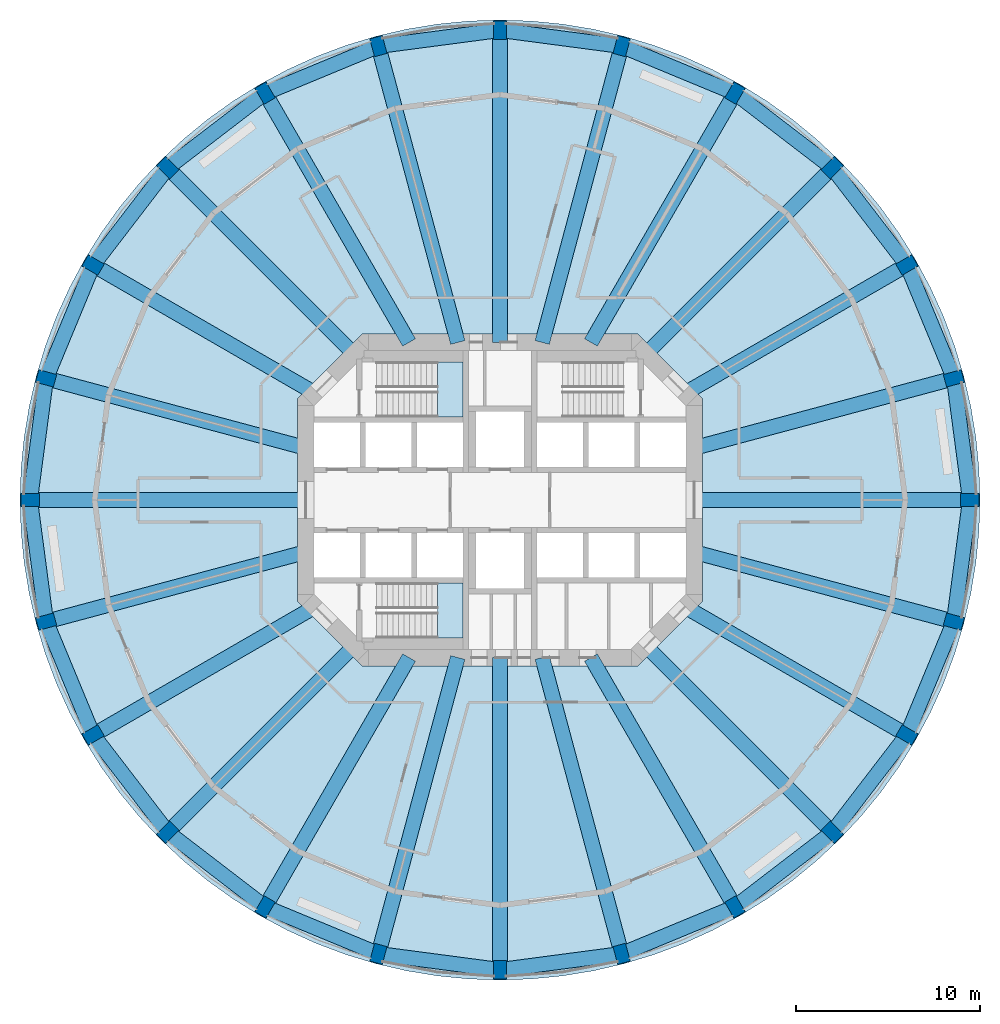
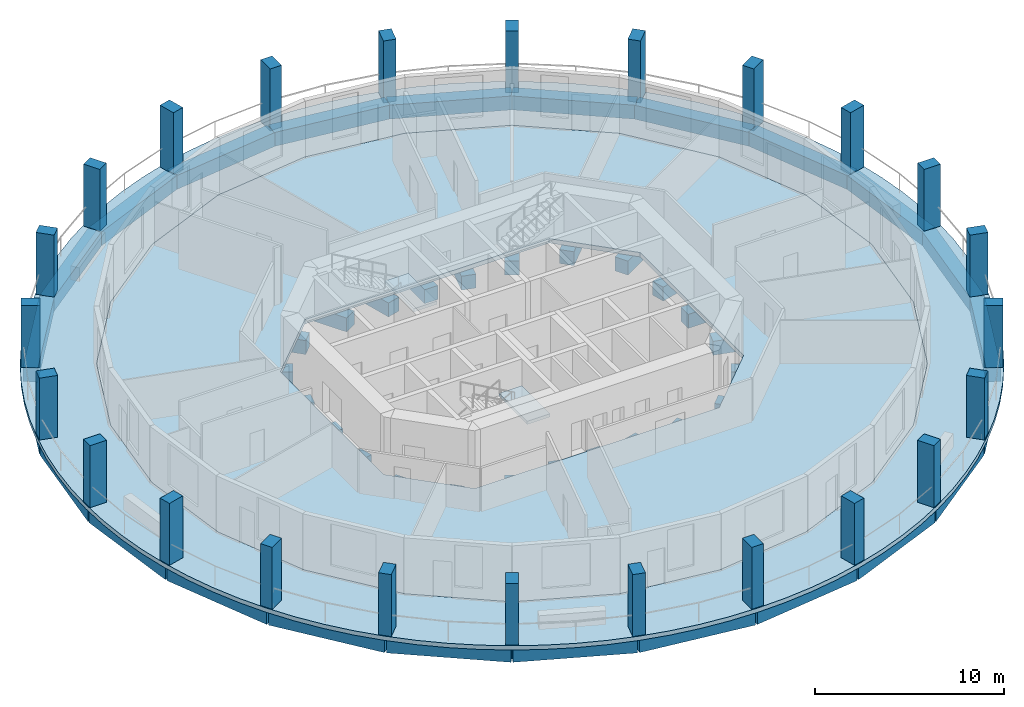
# One storey, part 1 of 9: 48 beams, 24 columns, 4 slabs, 2 elements without a shape of their own.
"""IFC4 building model written with IfcOpenShell, lengths in metres."""

from ifc_helpers import new_model, si_unit, direction, frame, origin, origin_2d, place, context, subcontext, project, spatial, polyline, rectangle, outline, extrude, material, layer, layer_set, material_profile, profile_set, type_object, element, aggregate, save


model = new_model("IFC4")

# Units and contexts
model_context = context("Model", 3, precision=1e-05, world=origin(), true_north=direction((0.0, 1.0)))
body_context = subcontext(model_context, "Body", "Model", "MODEL_VIEW")
ifc_project = project(units=[si_unit("LENGTHUNIT", "METRE"), si_unit("AREAUNIT", "SQUARE_METRE"), si_unit("VOLUMEUNIT", "CUBIC_METRE"), si_unit("PLANEANGLEUNIT", "RADIAN"), si_unit("MASSUNIT", "GRAM", prefix="KILO")], contexts=[model_context])

# Site, building, storey
site_placement = place(None, origin())
site = spatial("IfcSite", under=ifc_project, at=site_placement, CompositionType="ELEMENT")
building_placement = place(site_placement, origin())
building = spatial("IfcBuilding", under=site, at=building_placement, Name="Torre Triforio", CompositionType="ELEMENT")
storey_placement = place(building_placement, frame((0.0, 0.0, 98.60009765625)))
storey = spatial("IfcBuildingStorey", under=building, at=storey_placement, Name="L21", CompositionType="ELEMENT", Elevation=98.60009765625)

# Columns
ifc_material_1 = material(Name="Concrete C60", Category="concrete")
ifc_material_profile_1 = material_profile(ifc_material_1, rectangle(XDim=0.699951171875, YDim=1.0, at=origin_2d()), Name="RC 700x1000")
ifc_profile_set_1 = profile_set([ifc_material_profile_1], Name="Concrete C60")
column_type = type_object("IfcColumnType", Name="Pier RC 700x1000 C60", PredefinedType="COLUMN", material=ifc_profile_set_1)
for number, where, z_axis, x_axis, name in (
    (1, (25.5, 0.0, 0.0), (0.0, 0.0, 1.0), (0.0, 1.0, 0.0), "COL.R.L21.00"),
    (2, (24.631103515625, 6.599853515625, 0.0), (0.0, 0.0, 1.0), (-0.258819045103, 0.965925826289, 0.0), "COL.R.L21.01"),
    (3, (22.083740234375, 12.75, 0.0), (0.0, 0.0, 1.0), (-0.5, 0.866025403784, 0.0), "COL.R.L21.02"),
    (4, (18.03125, 18.03125, 0.0), (0.0, 0.0, 1.0), (-0.707106781187, 0.707106781187, 0.0), "COL.R.L21.03"),
    (5, (12.75, 22.083740234375, 0.0), (0.0, 0.0, 1.0), (-0.866025403784, 0.5, 0.0), "COL.R.L21.04"),
    (6, (6.599853515625, 24.631103515625, 0.0), (0.0, 0.0, 1.0), (-0.965925826289, 0.258819045103, 0.0), "COL.R.L21.05"),
    (7, (0.0, 25.5, 0.0), (0.0, 0.0, 1.0), (-1.0, 0.0, 0.0), "COL.R.L21.06"),
    (8, (-6.599853515625, 24.631103515625, 0.0), (0.0, 0.0, 1.0), (-0.965925826289, -0.258819045103, 0.0), "COL.R.L21.07"),
    (9, (-12.75, 22.083740234375, 0.0), (0.0, 0.0, 1.0), (-0.866025403784, -0.5, 0.0), "COL.R.L21.08"),
    (10, (-18.03125, 18.03125, 0.0), (0.0, 0.0, 1.0), (-0.707106781187, -0.707106781187, 0.0), "COL.R.L21.09"),
    (11, (-22.083740234375, 12.75, 0.0), (0.0, 0.0, 1.0), (-0.5, -0.866025403784, 0.0), "COL.R.L21.10"),
    (12, (-24.631103515625, 6.599853515625, 0.0), (0.0, 0.0, 1.0), (-0.258819045103, -0.965925826289, 0.0), "COL.R.L21.11"),
    (13, (-25.5, 0.0, 0.0), (0.0, 0.0, 1.0), (0.0, -1.0, 0.0), "COL.R.L21.12"),
    (14, (-24.631103515625, -6.599853515625, 0.0), (0.0, 0.0, 1.0), (0.258819045103, -0.965925826289, 0.0), "COL.R.L21.13"),
    (15, (-22.083740234375, -12.75, 0.0), (0.0, 0.0, 1.0), (0.5, -0.866025403784, 0.0), "COL.R.L21.14"),
    (16, (-18.03125, -18.03125, 0.0), (0.0, 0.0, 1.0), (0.707106781187, -0.707106781187, 0.0), "COL.R.L21.15"),
    (17, (-12.75, -22.083740234375, 0.0), (0.0, 0.0, 1.0), (0.866025403784, -0.5, 0.0), "COL.R.L21.16"),
    (18, (-6.599853515625, -24.631103515625, 0.0), (0.0, 0.0, 1.0), (0.965925826289, -0.258819045103, 0.0), "COL.R.L21.17"),
    (19, (0.0, -25.5, 0.0), (0.0, 0.0, 1.0), (1.0, 0.0, 0.0), "COL.R.L21.18"),
    (20, (6.599853515625, -24.631103515625, 0.0), (0.0, 0.0, 1.0), (0.965925826289, 0.258819045103, 0.0), "COL.R.L21.19"),
    (21, (12.75, -22.083740234375, 0.0), (0.0, 0.0, 1.0), (0.866025403784, 0.5, 0.0), "COL.R.L21.20"),
    (22, (18.03125, -18.03125, 0.0), (0.0, 0.0, 1.0), (0.707106781187, 0.707106781187, 0.0), "COL.R.L21.21"),
    (23, (22.083740234375, -12.75, 0.0), (0.0, 0.0, 1.0), (0.5, 0.866025403784, 0.0), "COL.R.L21.22"),
    (24, (24.631103515625, -6.599853515625, 0.0), (0.0, 0.0, 1.0), (0.258819045103, 0.965925826289, 0.0), "COL.R.L21.23"),
):
    element("IfcColumn", number, at=place(storey_placement, frame(where, z_axis=z_axis, x_axis=x_axis)), inside=storey, type_object=column_type, Name=name, PredefinedType="COLUMN", context=body_context, shape_type="SweptSolid", body=[
        extrude(rectangle(XDim=0.699951171875, YDim=1.0, at=origin_2d()), origin(), (0.0, 0.0, 1.0), 4.0),
    ])

# Beams
ifc_material_2 = material(Name="Concrete C50", Category="concrete")
ifc_material_profile_2 = material_profile(ifc_material_2, rectangle(XDim=0.800048828125, YDim=0.89990234375, at=origin_2d()), Name="RC 800x900")
ifc_profile_set_2 = profile_set([ifc_material_profile_2], Name="Concrete C50")
beam_type_1 = type_object("IfcBeamType", Name="Radial beam RC 800x900 C50", PredefinedType="BEAM", material=ifc_profile_set_2)
beam_1_placement = place(storey_placement, frame((10.550048828125, 0.0, -0.72998046875), z_axis=(1.0, 0.0, 0.0), x_axis=(0.0, 1.0, 0.0)))
element("IfcBeam", 25, at=beam_1_placement, inside=storey, type_object=beam_type_1, Name="BM.R.L21.00", PredefinedType="BEAM", context=body_context, shape_type="SweptSolid", body=[
    extrude(rectangle(XDim=0.800048828125, YDim=0.89990234375, at=origin_2d()), origin(), (0.0, 0.0, 1.0), 14.949951171875),
])
beam_2_placement = place(storey_placement, frame((10.550048828125, 2.826904296875, -0.72998046875), z_axis=(0.965926821176, 0.258815332104, 0.0), x_axis=(-0.258815332104, 0.965926821176, 0.0)))
element("IfcBeam", 26, at=beam_2_placement, inside=storey, type_object=beam_type_1, Name="BM.R.L21.01", PredefinedType="BEAM", context=body_context, shape_type="SweptSolid", body=[
    extrude(rectangle(XDim=0.800048828125, YDim=0.89990234375, at=origin_2d()), origin(), (0.0, 0.0, 1.0), 14.577880859375),
])
beam_3_placement = place(storey_placement, frame((10.039794921875, 5.796630859375, -0.72998046875), z_axis=(0.866031815519, 0.499988894385, 0.0), x_axis=(-0.499988894385, 0.866031815519, 0.0)))
element("IfcBeam", 27, at=beam_3_placement, inside=storey, type_object=beam_type_1, Name="BM.R.L21.02", PredefinedType="BEAM", context=body_context, shape_type="SweptSolid", body=[
    extrude(rectangle(XDim=0.800048828125, YDim=0.89990234375, at=origin_2d()), origin(), (0.0, 0.0, 1.0), 13.906982421875),
])
beam_4_placement = place(storey_placement, frame((7.918212890625, 7.918212890625, -0.72998046875), z_axis=(0.707106781187, 0.707106781187, 0.0), x_axis=(-0.707106781187, 0.707106781187, 0.0)))
element("IfcBeam", 28, at=beam_4_placement, inside=storey, type_object=beam_type_1, Name="BM.R.L21.03", PredefinedType="BEAM", context=body_context, shape_type="SweptSolid", body=[
    extrude(rectangle(XDim=0.800048828125, YDim=0.89990234375, at=origin_2d()), origin(), (0.0, 0.0, 1.0), 14.302001953125),
])
beam_5_placement = place(storey_placement, frame((4.936279296875, 8.550048828125, -0.72998046875), z_axis=(0.500001935381, 0.866024286389, 0.0), x_axis=(-0.866024286389, 0.500001935381, 0.0)))
element("IfcBeam", 29, at=beam_5_placement, inside=storey, type_object=beam_type_1, Name="BM.R.L21.04", PredefinedType="BEAM", context=body_context, shape_type="SweptSolid", body=[
    extrude(rectangle(XDim=0.800048828125, YDim=0.89990234375, at=origin_2d()), origin(), (0.0, 0.0, 1.0), 15.62744140625),
])
beam_6_placement = place(storey_placement, frame((2.291015625, 8.550048828125, -0.72998046875), z_axis=(0.25881524955, 0.965926843296, 0.0), x_axis=(-0.965926843296, 0.25881524955, 0.0)))
element("IfcBeam", 30, at=beam_6_placement, inside=storey, type_object=beam_type_1, Name="BM.R.L21.05", PredefinedType="BEAM", context=body_context, shape_type="SweptSolid", body=[
    extrude(rectangle(XDim=0.800048828125, YDim=0.89990234375, at=origin_2d()), origin(), (0.0, 0.0, 1.0), 16.648193359375),
])
beam_7_placement = place(storey_placement, frame((0.0, 8.550048828125, -0.72998046875), z_axis=(0.0, 1.0, 0.0), x_axis=(-1.0, 0.0, 0.0)))
element("IfcBeam", 31, at=beam_7_placement, inside=storey, type_object=beam_type_1, Name="BM.R.L21.06", PredefinedType="BEAM", context=body_context, shape_type="SweptSolid", body=[
    extrude(rectangle(XDim=0.800048828125, YDim=0.89990234375, at=origin_2d()), origin(), (0.0, 0.0, 1.0), 16.949951171875),
])
beam_8_placement = place(storey_placement, frame((-2.291015625, 8.550048828125, -0.72998046875), z_axis=(-0.25881524955, 0.965926843296, 0.0), x_axis=(-0.965926843296, -0.25881524955, 0.0)))
element("IfcBeam", 32, at=beam_8_placement, inside=storey, type_object=beam_type_1, Name="BM.R.L21.07", PredefinedType="BEAM", context=body_context, shape_type="SweptSolid", body=[
    extrude(rectangle(XDim=0.800048828125, YDim=0.89990234375, at=origin_2d()), origin(), (0.0, 0.0, 1.0), 16.648193359375),
])
beam_9_placement = place(storey_placement, frame((-4.936279296875, 8.550048828125, -0.72998046875), z_axis=(-0.500001935381, 0.866024286389, 0.0), x_axis=(-0.866024286389, -0.500001935381, 0.0)))
element("IfcBeam", 33, at=beam_9_placement, inside=storey, type_object=beam_type_1, Name="BM.R.L21.08", PredefinedType="BEAM", context=body_context, shape_type="SweptSolid", body=[
    extrude(rectangle(XDim=0.800048828125, YDim=0.89990234375, at=origin_2d()), origin(), (0.0, 0.0, 1.0), 15.62744140625),
])
beam_10_placement = place(storey_placement, frame((-7.918212890625, 7.918212890625, -0.72998046875), z_axis=(-0.707106781187, 0.707106781187, 0.0), x_axis=(-0.707106781187, -0.707106781187, 0.0)))
element("IfcBeam", 34, at=beam_10_placement, inside=storey, type_object=beam_type_1, Name="BM.R.L21.09", PredefinedType="BEAM", context=body_context, shape_type="SweptSolid", body=[
    extrude(rectangle(XDim=0.800048828125, YDim=0.89990234375, at=origin_2d()), origin(), (0.0, 0.0, 1.0), 14.302001953125),
])
beam_11_placement = place(storey_placement, frame((-10.039794921875, 5.796630859375, -0.72998046875), z_axis=(-0.866031815519, 0.499988894385, 0.0), x_axis=(-0.499988894385, -0.866031815519, 0.0)))
element("IfcBeam", 35, at=beam_11_placement, inside=storey, type_object=beam_type_1, Name="BM.R.L21.10", PredefinedType="BEAM", context=body_context, shape_type="SweptSolid", body=[
    extrude(rectangle(XDim=0.800048828125, YDim=0.89990234375, at=origin_2d()), origin(), (0.0, 0.0, 1.0), 13.906982421875),
])
beam_12_placement = place(storey_placement, frame((-10.550048828125, 2.826904296875, -0.72998046875), z_axis=(-0.965926821176, 0.258815332104, 0.0), x_axis=(-0.258815332104, -0.965926821176, 0.0)))
element("IfcBeam", 36, at=beam_12_placement, inside=storey, type_object=beam_type_1, Name="BM.R.L21.11", PredefinedType="BEAM", context=body_context, shape_type="SweptSolid", body=[
    extrude(rectangle(XDim=0.800048828125, YDim=0.89990234375, at=origin_2d()), origin(), (0.0, 0.0, 1.0), 14.577880859375),
])
beam_13_placement = place(storey_placement, frame((-10.550048828125, 0.0, -0.72998046875), z_axis=(-1.0, 0.0, 0.0), x_axis=(0.0, -1.0, 0.0)))
element("IfcBeam", 37, at=beam_13_placement, inside=storey, type_object=beam_type_1, Name="BM.R.L21.12", PredefinedType="BEAM", context=body_context, shape_type="SweptSolid", body=[
    extrude(rectangle(XDim=0.800048828125, YDim=0.89990234375, at=origin_2d()), origin(), (0.0, 0.0, 1.0), 14.949951171875),
])
beam_14_placement = place(storey_placement, frame((-10.550048828125, -2.826904296875, -0.72998046875), z_axis=(-0.965926821176, -0.258815332104, 0.0), x_axis=(0.258815332104, -0.965926821176, 0.0)))
element("IfcBeam", 38, at=beam_14_placement, inside=storey, type_object=beam_type_1, Name="BM.R.L21.13", PredefinedType="BEAM", context=body_context, shape_type="SweptSolid", body=[
    extrude(rectangle(XDim=0.800048828125, YDim=0.89990234375, at=origin_2d()), origin(), (0.0, 0.0, 1.0), 14.577880859375),
])
beam_15_placement = place(storey_placement, frame((-10.039794921875, -5.796630859375, -0.72998046875), z_axis=(-0.866031815519, -0.499988894385, 0.0), x_axis=(0.499988894385, -0.866031815519, 0.0)))
element("IfcBeam", 39, at=beam_15_placement, inside=storey, type_object=beam_type_1, Name="BM.R.L21.14", PredefinedType="BEAM", context=body_context, shape_type="SweptSolid", body=[
    extrude(rectangle(XDim=0.800048828125, YDim=0.89990234375, at=origin_2d()), origin(), (0.0, 0.0, 1.0), 13.906982421875),
])
beam_16_placement = place(storey_placement, frame((-7.918212890625, -7.918212890625, -0.72998046875), z_axis=(-0.707106781187, -0.707106781187, 0.0), x_axis=(0.707106781187, -0.707106781187, 0.0)))
element("IfcBeam", 40, at=beam_16_placement, inside=storey, type_object=beam_type_1, Name="BM.R.L21.15", PredefinedType="BEAM", context=body_context, shape_type="SweptSolid", body=[
    extrude(rectangle(XDim=0.800048828125, YDim=0.89990234375, at=origin_2d()), origin(), (0.0, 0.0, 1.0), 14.302001953125),
])
beam_17_placement = place(storey_placement, frame((-4.936279296875, -8.550048828125, -0.72998046875), z_axis=(-0.500001935381, -0.866024286389, 0.0), x_axis=(0.866024286389, -0.500001935381, 0.0)))
element("IfcBeam", 41, at=beam_17_placement, inside=storey, type_object=beam_type_1, Name="BM.R.L21.16", PredefinedType="BEAM", context=body_context, shape_type="SweptSolid", body=[
    extrude(rectangle(XDim=0.800048828125, YDim=0.89990234375, at=origin_2d()), origin(), (0.0, 0.0, 1.0), 15.62744140625),
])
beam_18_placement = place(storey_placement, frame((-2.291015625, -8.550048828125, -0.72998046875), z_axis=(-0.25881524955, -0.965926843296, 0.0), x_axis=(0.965926843296, -0.25881524955, 0.0)))
element("IfcBeam", 42, at=beam_18_placement, inside=storey, type_object=beam_type_1, Name="BM.R.L21.17", PredefinedType="BEAM", context=body_context, shape_type="SweptSolid", body=[
    extrude(rectangle(XDim=0.800048828125, YDim=0.89990234375, at=origin_2d()), origin(), (0.0, 0.0, 1.0), 16.648193359375),
])
beam_19_placement = place(storey_placement, frame((0.0, -8.550048828125, -0.72998046875), z_axis=(0.0, -1.0, 0.0), x_axis=(1.0, 0.0, 0.0)))
element("IfcBeam", 43, at=beam_19_placement, inside=storey, type_object=beam_type_1, Name="BM.R.L21.18", PredefinedType="BEAM", context=body_context, shape_type="SweptSolid", body=[
    extrude(rectangle(XDim=0.800048828125, YDim=0.89990234375, at=origin_2d()), origin(), (0.0, 0.0, 1.0), 16.949951171875),
])
beam_20_placement = place(storey_placement, frame((2.291015625, -8.550048828125, -0.72998046875), z_axis=(0.25881524955, -0.965926843296, 0.0), x_axis=(0.965926843296, 0.25881524955, 0.0)))
element("IfcBeam", 44, at=beam_20_placement, inside=storey, type_object=beam_type_1, Name="BM.R.L21.19", PredefinedType="BEAM", context=body_context, shape_type="SweptSolid", body=[
    extrude(rectangle(XDim=0.800048828125, YDim=0.89990234375, at=origin_2d()), origin(), (0.0, 0.0, 1.0), 16.648193359375),
])
beam_21_placement = place(storey_placement, frame((4.936279296875, -8.550048828125, -0.72998046875), z_axis=(0.500001935381, -0.866024286389, 0.0), x_axis=(0.866024286389, 0.500001935381, 0.0)))
element("IfcBeam", 45, at=beam_21_placement, inside=storey, type_object=beam_type_1, Name="BM.R.L21.20", PredefinedType="BEAM", context=body_context, shape_type="SweptSolid", body=[
    extrude(rectangle(XDim=0.800048828125, YDim=0.89990234375, at=origin_2d()), origin(), (0.0, 0.0, 1.0), 15.62744140625),
])
beam_22_placement = place(storey_placement, frame((7.918212890625, -7.918212890625, -0.72998046875), z_axis=(0.707106781187, -0.707106781187, 0.0), x_axis=(0.707106781187, 0.707106781187, 0.0)))
element("IfcBeam", 46, at=beam_22_placement, inside=storey, type_object=beam_type_1, Name="BM.R.L21.21", PredefinedType="BEAM", context=body_context, shape_type="SweptSolid", body=[
    extrude(rectangle(XDim=0.800048828125, YDim=0.89990234375, at=origin_2d()), origin(), (0.0, 0.0, 1.0), 14.302001953125),
])
beam_23_placement = place(storey_placement, frame((10.039794921875, -5.796630859375, -0.72998046875), z_axis=(0.866031815519, -0.499988894385, 0.0), x_axis=(0.499988894385, 0.866031815519, 0.0)))
element("IfcBeam", 47, at=beam_23_placement, inside=storey, type_object=beam_type_1, Name="BM.R.L21.22", PredefinedType="BEAM", context=body_context, shape_type="SweptSolid", body=[
    extrude(rectangle(XDim=0.800048828125, YDim=0.89990234375, at=origin_2d()), origin(), (0.0, 0.0, 1.0), 13.906982421875),
])
beam_24_placement = place(storey_placement, frame((10.550048828125, -2.826904296875, -0.72998046875), z_axis=(0.965926821176, -0.258815332104, 0.0), x_axis=(0.258815332104, 0.965926821176, 0.0)))
element("IfcBeam", 48, at=beam_24_placement, inside=storey, type_object=beam_type_1, Name="BM.R.L21.23", PredefinedType="BEAM", context=body_context, shape_type="SweptSolid", body=[
    extrude(rectangle(XDim=0.800048828125, YDim=0.89990234375, at=origin_2d()), origin(), (0.0, 0.0, 1.0), 14.577880859375),
])
ifc_material_profile_3 = material_profile(ifc_material_2, rectangle(XDim=0.800048828125, YDim=0.89990234375, at=origin_2d()), Name="RC 800x900")
ifc_profile_set_3 = profile_set([ifc_material_profile_3], Name="Concrete C50")
beam_type_2 = type_object("IfcBeamType", Name="Spandrel beam RC 800x900 C50", PredefinedType="SPANDREL", material=ifc_profile_set_3)
for number, where, z_axis, x_axis, name in (
    (49, (25.5, 0.0, -0.72998046875), (-0.130527563319, 0.991444680864, 0.0), (-0.991444680864, -0.130527563319, 0.0), "BM.S.L21.00"),
    (50, (24.631103515625, 6.599853515625, -0.72998046875), (-0.382669224891, 0.923885417312, 0.0), (-0.923885417312, -0.382669224891, 0.0), "BM.S.L21.01"),
):
    element("IfcBeam", number, at=place(storey_placement, frame(where, z_axis=z_axis, x_axis=x_axis)), inside=storey, type_object=beam_type_2, Name=name, PredefinedType="SPANDREL", context=body_context, shape_type="SweptSolid", body=[
        extrude(rectangle(XDim=0.800048828125, YDim=0.89990234375, at=origin_2d()), origin(), (0.0, 0.0, 1.0), 6.65673828125),
    ])
for number, where, z_axis, x_axis, name in (
    (51, (22.083740234375, 12.75, -0.72998046875), (-0.608765643954, 0.793350106032, 0.0), (-0.793350106032, -0.608765643954, 0.0), "BM.S.L21.02"),
    (52, (18.03125, 18.03125, -0.72998046875), (-0.793350106032, 0.608765643954, 0.0), (-0.608765643954, -0.793350106032, 0.0), "BM.S.L21.03"),
):
    element("IfcBeam", number, at=place(storey_placement, frame(where, z_axis=z_axis, x_axis=x_axis)), inside=storey, type_object=beam_type_2, Name=name, PredefinedType="SPANDREL", context=body_context, shape_type="SweptSolid", body=[
        extrude(rectangle(XDim=0.800048828125, YDim=0.89990234375, at=origin_2d()), origin(), (0.0, 0.0, 1.0), 6.656982421875),
    ])
for number, where, z_axis, x_axis, name in (
    (53, (12.75, 22.083740234375, -0.72998046875), (-0.923885417312, 0.382669224891, 0.0), (-0.382669224891, -0.923885417312, 0.0), "BM.S.L21.04"),
    (54, (6.599853515625, 24.631103515625, -0.72998046875), (-0.991444680864, 0.130527563319, 0.0), (-0.130527563319, -0.991444680864, 0.0), "BM.S.L21.05"),
    (55, (0.0, 25.5, -0.72998046875), (-0.991444680864, -0.130527563319, 0.0), (0.130527563319, -0.991444680864, 0.0), "BM.S.L21.06"),
    (56, (-6.599853515625, 24.631103515625, -0.72998046875), (-0.923885417312, -0.382669224891, 0.0), (0.382669224891, -0.923885417312, 0.0), "BM.S.L21.07"),
):
    element("IfcBeam", number, at=place(storey_placement, frame(where, z_axis=z_axis, x_axis=x_axis)), inside=storey, type_object=beam_type_2, Name=name, PredefinedType="SPANDREL", context=body_context, shape_type="SweptSolid", body=[
        extrude(rectangle(XDim=0.800048828125, YDim=0.89990234375, at=origin_2d()), origin(), (0.0, 0.0, 1.0), 6.65673828125),
    ])
for number, where, z_axis, x_axis, name in (
    (57, (-12.75, 22.083740234375, -0.72998046875), (-0.793350106032, -0.608765643954, 0.0), (0.608765643954, -0.793350106032, 0.0), "BM.S.L21.08"),
    (58, (-18.03125, 18.03125, -0.72998046875), (-0.608765643954, -0.793350106032, 0.0), (0.793350106032, -0.608765643954, 0.0), "BM.S.L21.09"),
):
    element("IfcBeam", number, at=place(storey_placement, frame(where, z_axis=z_axis, x_axis=x_axis)), inside=storey, type_object=beam_type_2, Name=name, PredefinedType="SPANDREL", context=body_context, shape_type="SweptSolid", body=[
        extrude(rectangle(XDim=0.800048828125, YDim=0.89990234375, at=origin_2d()), origin(), (0.0, 0.0, 1.0), 6.656982421875),
    ])
for number, where, z_axis, x_axis, name in (
    (59, (-22.083740234375, 12.75, -0.72998046875), (-0.382669224891, -0.923885417312, 0.0), (0.923885417312, -0.382669224891, 0.0), "BM.S.L21.10"),
    (60, (-24.631103515625, 6.599853515625, -0.72998046875), (-0.130527563319, -0.991444680864, 0.0), (0.991444680864, -0.130527563319, 0.0), "BM.S.L21.11"),
    (61, (-25.5, 0.0, -0.72998046875), (0.130527563319, -0.991444680864, 0.0), (0.991444680864, 0.130527563319, 0.0), "BM.S.L21.12"),
    (62, (-24.631103515625, -6.599853515625, -0.72998046875), (0.382669224891, -0.923885417312, 0.0), (0.923885417312, 0.382669224891, 0.0), "BM.S.L21.13"),
):
    element("IfcBeam", number, at=place(storey_placement, frame(where, z_axis=z_axis, x_axis=x_axis)), inside=storey, type_object=beam_type_2, Name=name, PredefinedType="SPANDREL", context=body_context, shape_type="SweptSolid", body=[
        extrude(rectangle(XDim=0.800048828125, YDim=0.89990234375, at=origin_2d()), origin(), (0.0, 0.0, 1.0), 6.65673828125),
    ])
for number, where, z_axis, x_axis, name in (
    (63, (-22.083740234375, -12.75, -0.72998046875), (0.608765643954, -0.793350106032, 0.0), (0.793350106032, 0.608765643954, 0.0), "BM.S.L21.14"),
    (64, (-18.03125, -18.03125, -0.72998046875), (0.793350106032, -0.608765643954, 0.0), (0.608765643954, 0.793350106032, 0.0), "BM.S.L21.15"),
):
    element("IfcBeam", number, at=place(storey_placement, frame(where, z_axis=z_axis, x_axis=x_axis)), inside=storey, type_object=beam_type_2, Name=name, PredefinedType="SPANDREL", context=body_context, shape_type="SweptSolid", body=[
        extrude(rectangle(XDim=0.800048828125, YDim=0.89990234375, at=origin_2d()), origin(), (0.0, 0.0, 1.0), 6.656982421875),
    ])
for number, where, z_axis, x_axis, name in (
    (65, (-12.75, -22.083740234375, -0.72998046875), (0.923885417312, -0.382669224891, 0.0), (0.382669224891, 0.923885417312, 0.0), "BM.S.L21.16"),
    (66, (-6.599853515625, -24.631103515625, -0.72998046875), (0.991444680864, -0.130527563319, 0.0), (0.130527563319, 0.991444680864, 0.0), "BM.S.L21.17"),
    (67, (0.0, -25.5, -0.72998046875), (0.991444680864, 0.130527563319, 0.0), (-0.130527563319, 0.991444680864, 0.0), "BM.S.L21.18"),
    (68, (6.599853515625, -24.631103515625, -0.72998046875), (0.923885417312, 0.382669224891, 0.0), (-0.382669224891, 0.923885417312, 0.0), "BM.S.L21.19"),
):
    element("IfcBeam", number, at=place(storey_placement, frame(where, z_axis=z_axis, x_axis=x_axis)), inside=storey, type_object=beam_type_2, Name=name, PredefinedType="SPANDREL", context=body_context, shape_type="SweptSolid", body=[
        extrude(rectangle(XDim=0.800048828125, YDim=0.89990234375, at=origin_2d()), origin(), (0.0, 0.0, 1.0), 6.65673828125),
    ])
for number, where, z_axis, x_axis, name in (
    (69, (12.75, -22.083740234375, -0.72998046875), (0.793350106032, 0.608765643954, 0.0), (-0.608765643954, 0.793350106032, 0.0), "BM.S.L21.20"),
    (70, (18.03125, -18.03125, -0.72998046875), (0.608765643954, 0.793350106032, 0.0), (-0.793350106032, 0.608765643954, 0.0), "BM.S.L21.21"),
):
    element("IfcBeam", number, at=place(storey_placement, frame(where, z_axis=z_axis, x_axis=x_axis)), inside=storey, type_object=beam_type_2, Name=name, PredefinedType="SPANDREL", context=body_context, shape_type="SweptSolid", body=[
        extrude(rectangle(XDim=0.800048828125, YDim=0.89990234375, at=origin_2d()), origin(), (0.0, 0.0, 1.0), 6.656982421875),
    ])
for number, where, z_axis, x_axis, name in (
    (71, (22.083740234375, -12.75, -0.72998046875), (0.382669224891, 0.923885417312, 0.0), (-0.923885417312, 0.382669224891, 0.0), "BM.S.L21.22"),
    (72, (24.631103515625, -6.599853515625, -0.72998046875), (0.130527563319, 0.991444680864, 0.0), (-0.991444680864, 0.130527563319, 0.0), "BM.S.L21.23"),
):
    element("IfcBeam", number, at=place(storey_placement, frame(where, z_axis=z_axis, x_axis=x_axis)), inside=storey, type_object=beam_type_2, Name=name, PredefinedType="SPANDREL", context=body_context, shape_type="SweptSolid", body=[
        extrude(rectangle(XDim=0.800048828125, YDim=0.89990234375, at=origin_2d()), origin(), (0.0, 0.0, 1.0), 6.65673828125),
    ])

# Slabs
ifc_layer_1 = layer(ifc_material_2, 0.280029296875)
ifc_layer_set_1 = layer_set([ifc_layer_1], Name="Concrete C50")
slab_type_1 = type_object("IfcSlabType", Name="Floor slab 280 C50", PredefinedType="FLOOR", material=ifc_layer_set_1)
slab_1_placement = place(storey_placement, frame((0.0, 0.0, -0.280029296875)))
element("IfcSlab", 73, at=slab_1_placement, inside=storey, type_object=slab_type_1, Name="SL.L21", PredefinedType="FLOOR", context=body_context, shape_type="SweptSolid", body=[
    extrude(outline(polyline([(19.052490234375, -11.0), (21.25048828125, -5.694091796875), (22.0, 0.0), (21.25048828125, 5.694091796875), (19.052490234375, 11.0), (15.556396484375, 15.556396484375), (11.0, 19.052490234375), (5.694091796875, 21.25048828125), (0.0, 22.0), (-5.694091796875, 21.25048828125), (-11.0, 19.052490234375), (-15.556396484375, 15.556396484375), (-19.052490234375, 11.0), (-21.25048828125, 5.694091796875), (-22.0, 0.0), (-21.25048828125, -5.694091796875), (-19.052490234375, -11.0), (-15.556396484375, -15.556396484375), (-11.0, -19.052490234375), (-5.694091796875, -21.25048828125), (0.0, -22.0), (5.694091796875, -21.25048828125), (11.0, -19.052490234375), (15.556396484375, -15.556396484375), (19.052490234375, -11.0)]), holes=[polyline([(11.0, 5.472900390625), (11.0, -5.472900390625), (7.472900390625, -9.0), (-7.472900390625, -9.0), (-11.0, -5.472900390625), (-11.0, 5.472900390625), (-7.472900390625, 9.0), (7.472900390625, 9.0), (11.0, 5.472900390625)])]), origin(), (0.0, 0.0, 1.0), 0.280029296875),
])
ifc_layer_2 = layer(ifc_material_2, 0.280029296875)
ifc_layer_set_2 = layer_set([ifc_layer_2], Name="Concrete C50")
slab_type_2 = type_object("IfcSlabType", Name="Loggia slab 280 C50", PredefinedType="FLOOR", material=ifc_layer_set_2)
slab_2_placement = place(storey_placement, frame((0.0, 0.0, -0.280029296875)))
element("IfcSlab", 74, at=slab_2_placement, inside=storey, type_object=slab_type_2, Name="SL.L21.LG", PredefinedType="FLOOR", context=body_context, shape_type="SweptSolid", body=[
    extrude(outline(polyline([(25.994140625, -1.703857421875), (26.050048828125, 0.0), (25.994140625, 1.703857421875), (25.8271484375, 3.400146484375), (25.549560546875, 5.08203125), (25.162353515625, 6.7421875), (24.66748046875, 8.37353515625), (24.067138671875, 9.968994140625), (23.363525390625, 11.521728515625), (22.56005859375, 13.02490234375), (21.65966796875, 14.47265625), (20.666748046875, 15.858154296875), (19.58544921875, 17.176025390625), (18.420166015625, 18.420166015625), (17.176025390625, 19.58544921875), (15.858154296875, 20.666748046875), (14.47265625, 21.65966796875), (13.02490234375, 22.56005859375), (11.521728515625, 23.363525390625), (9.968994140625, 24.067138671875), (8.37353515625, 24.66748046875), (6.7421875, 25.162353515625), (5.08203125, 25.549560546875), (3.400146484375, 25.8271484375), (1.703857421875, 25.994140625), (0.0, 26.050048828125), (-1.703857421875, 25.994140625), (-3.400146484375, 25.8271484375), (-5.08203125, 25.549560546875), (-6.7421875, 25.162353515625), (-8.37353515625, 24.66748046875), (-9.968994140625, 24.067138671875), (-11.521728515625, 23.363525390625), (-13.02490234375, 22.56005859375), (-14.47265625, 21.65966796875), (-15.858154296875, 20.666748046875), (-17.176025390625, 19.58544921875), (-18.420166015625, 18.420166015625), (-19.58544921875, 17.176025390625), (-20.666748046875, 15.858154296875), (-21.65966796875, 14.47265625), (-22.56005859375, 13.02490234375), (-23.363525390625, 11.521728515625), (-24.067138671875, 9.968994140625), (-24.66748046875, 8.37353515625), (-25.162353515625, 6.7421875), (-25.549560546875, 5.08203125), (-25.8271484375, 3.400146484375), (-25.994140625, 1.703857421875), (-26.050048828125, 0.0), (-25.994140625, -1.703857421875), (-25.8271484375, -3.400146484375), (-25.549560546875, -5.08203125), (-25.162353515625, -6.7421875), (-24.66748046875, -8.37353515625), (-24.067138671875, -9.968994140625), (-23.363525390625, -11.521728515625), (-22.56005859375, -13.02490234375), (-21.65966796875, -14.47265625), (-20.666748046875, -15.858154296875), (-19.58544921875, -17.176025390625), (-18.420166015625, -18.420166015625), (-17.176025390625, -19.58544921875), (-15.858154296875, -20.666748046875), (-14.47265625, -21.65966796875), (-13.02490234375, -22.56005859375), (-11.521728515625, -23.363525390625), (-9.968994140625, -24.067138671875), (-8.37353515625, -24.66748046875), (-6.7421875, -25.162353515625), (-5.08203125, -25.549560546875), (-3.400146484375, -25.8271484375), (-1.703857421875, -25.994140625), (0.0, -26.050048828125), (1.703857421875, -25.994140625), (3.400146484375, -25.8271484375), (5.08203125, -25.549560546875), (6.7421875, -25.162353515625), (8.37353515625, -24.66748046875), (9.968994140625, -24.067138671875), (11.521728515625, -23.363525390625), (13.02490234375, -22.56005859375), (14.47265625, -21.65966796875), (15.858154296875, -20.666748046875), (17.176025390625, -19.58544921875), (18.420166015625, -18.420166015625), (19.58544921875, -17.176025390625), (20.666748046875, -15.858154296875), (21.65966796875, -14.47265625), (22.56005859375, -13.02490234375), (23.363525390625, -11.521728515625), (24.067138671875, -9.968994140625), (24.66748046875, -8.37353515625), (25.162353515625, -6.7421875), (25.549560546875, -5.08203125), (25.8271484375, -3.400146484375), (25.994140625, -1.703857421875)]), holes=[polyline([(21.25048828125, 5.694091796875), (22.0, 0.0), (21.25048828125, -5.694091796875), (19.052490234375, -11.0), (15.556396484375, -15.556396484375), (11.0, -19.052490234375), (5.694091796875, -21.25048828125), (0.0, -22.0), (-5.694091796875, -21.25048828125), (-11.0, -19.052490234375), (-15.556396484375, -15.556396484375), (-19.052490234375, -11.0), (-21.25048828125, -5.694091796875), (-22.0, 0.0), (-21.25048828125, 5.694091796875), (-19.052490234375, 11.0), (-15.556396484375, 15.556396484375), (-11.0, 19.052490234375), (-5.694091796875, 21.25048828125), (0.0, 22.0), (5.694091796875, 21.25048828125), (11.0, 19.052490234375), (15.556396484375, 15.556396484375), (19.052490234375, 11.0), (21.25048828125, 5.694091796875)])]), origin(), (0.0, 0.0, 1.0), 0.280029296875),
])

# Stair, slab
ifc_material_3 = material(Name="Concrete C40", Category="concrete")
stair_type = type_object("IfcStairType", Name="STAIR HALF-TURN", PredefinedType="HALF_TURN_STAIR", material=ifc_material_3)
stair_1_placement = place(storey_placement, origin())
stair_1 = element("IfcStair", 75, at=stair_1_placement, inside=storey, type_object=stair_type, Name="Exit stair 1", PredefinedType="HALF_TURN_STAIR")
ifc_layer_3 = layer(ifc_material_3, 0.199951171875)
ifc_layer_set_3 = layer_set([ifc_layer_3], Name="Concrete C40")
slab_type_3 = type_object("IfcSlabType", Name="STAIR LANDING 200", PredefinedType="LANDING", material=ifc_layer_set_3)
slab_3_placement = place(storey_placement, frame((0.0, 0.0, 1.7998046875)))
slab_3 = element("IfcSlab", 76, at=slab_3_placement, type_object=slab_type_3, Name="ST1 landing 1", PredefinedType="LANDING", context=body_context, shape_type="SweptSolid", body=[
    extrude(outline(polyline([(-2.0, 4.5), (-2.0, 7.5), (-3.39990234375, 7.5), (-3.39990234375, 4.5), (-2.0, 4.5)])), origin(), (0.0, 0.0, 1.0), 0.2001953125),
])
aggregate(stair_1, [slab_3])

stair_2_placement = place(storey_placement, origin())
stair_2 = element("IfcStair", 77, at=stair_2_placement, inside=storey, type_object=stair_type, Name="Exit stair 3", PredefinedType="HALF_TURN_STAIR")
slab_4_placement = place(storey_placement, frame((0.0, 0.0, 1.7998046875)))
slab_4 = element("IfcSlab", 78, at=slab_4_placement, type_object=slab_type_3, Name="ST3 landing 1", PredefinedType="LANDING", context=body_context, shape_type="SweptSolid", body=[
    extrude(outline(polyline([(-2.0, -7.5), (-2.0, -4.5), (-3.39990234375, -4.5), (-3.39990234375, -7.5), (-2.0, -7.5)])), origin(), (0.0, 0.0, 1.0), 0.2001953125),
])
aggregate(stair_2, [slab_4])

save(model, "model.ifc")
